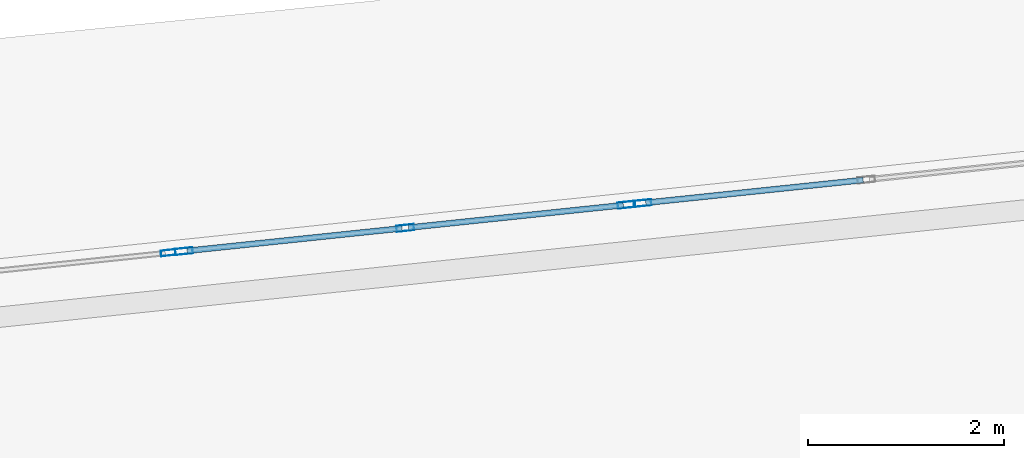
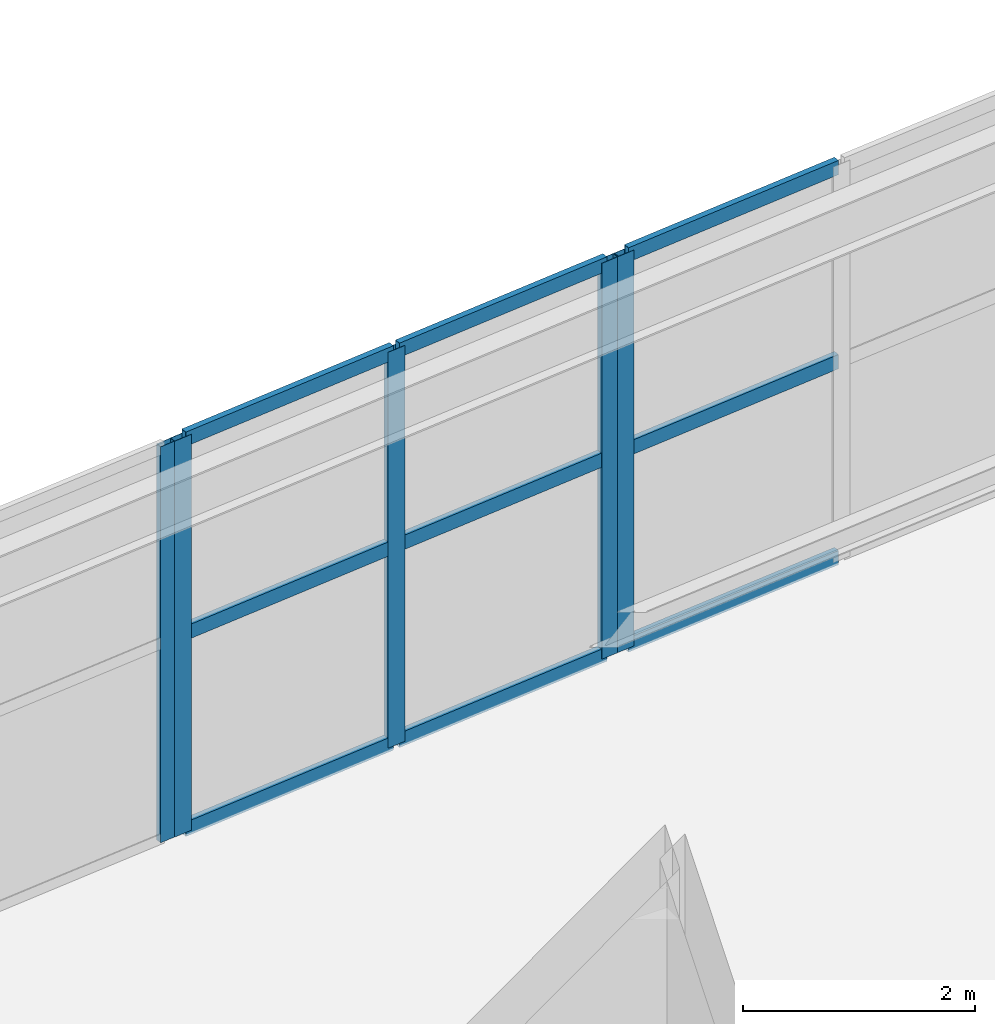
# One storey, part 71 of 126: 14 members, 3 elements without a shape of their own.
"""IFC4 building model written with IfcOpenShell, lengths in metres."""

from ifc_helpers import new_model, si_unit, direction, frame, origin, origin_2d, place, context, subcontext, project, spatial, hollow_rectangle, extrude, material, layer, layer_set, material_profile, profile_set, type_object, element, aggregate, save


model = new_model("IFC4")

# Units and contexts
model_context = context("Model", 3, precision=1e-05, world=origin(), true_north=direction((0.0, 1.0)))
body_context = subcontext(model_context, "Body", "Model", "MODEL_VIEW")
ifc_project = project(units=[si_unit("LENGTHUNIT", "METRE"), si_unit("AREAUNIT", "SQUARE_METRE"), si_unit("VOLUMEUNIT", "CUBIC_METRE"), si_unit("PLANEANGLEUNIT", "RADIAN"), si_unit("MASSUNIT", "GRAM", prefix="KILO")], contexts=[model_context])

# Site, building, storey
site_placement = place(None, origin())
site = spatial("IfcSite", under=ifc_project, at=site_placement, CompositionType="ELEMENT")
building_placement = place(site_placement, origin())
building = spatial("IfcBuilding", under=site, at=building_placement, Name="Kalgoora Escarpment Arena", CompositionType="ELEMENT")
storey_placement = place(building_placement, frame((0.0, 0.0, 18.89990234375)))
storey = spatial("IfcBuildingStorey", under=building, at=storey_placement, Name="L04", CompositionType="ELEMENT", Elevation=18.89990234375)

# Curtain wall, member
ifc_material_1 = material(Name=" Champagne anodised aluminium & double-glazed low-E", Category="aluminium")
ifc_layer_1 = layer(ifc_material_1, 0.14990234375)
ifc_layer_set_1 = layer_set([ifc_layer_1], Name="CW-UNIT-20")
curtain_wall_type_1 = type_object("IfcCurtainWallType", Name="CW-UNIT-20", PredefinedType="NOTDEFINED", material=ifc_layer_set_1)
curtain_wall_1_placement = place(storey_placement, origin())
curtain_wall_1 = element("IfcCurtainWall", 1, at=curtain_wall_1_placement, inside=storey, type_object=curtain_wall_type_1, Name="L04 unitised facade curtain wall 159", PredefinedType="NOTDEFINED")
ifc_material_2 = material(Name="Anodised aluminium 6063-T6", Category="aluminium")
ifc_material_profile_1 = material_profile(ifc_material_2, hollow_rectangle(XDim=0.06005859375, YDim=0.14990234375, WallThickness=0.00341796875, at=origin_2d()))
ifc_profile_set_1 = profile_set([ifc_material_profile_1], Name="Anodised aluminium 6063-T6")
member_type_1 = type_object("IfcMemberType", Name="MEM-CW-MULL-150", PredefinedType="MULLION", material=ifc_profile_set_1)
member_1_placement = place(storey_placement, frame((82.963623046875, 120.490966796875, 0.02001953125), z_axis=(0.0, 0.0, 1.0), x_axis=(-0.104182310405, 0.994558216596, 0.0)))
member_1 = element("IfcMember", 2, at=member_1_placement, type_object=member_type_1, Name="CW-20 mullion 2", PredefinedType="MULLION", context=body_context, shape_type="SweptSolid", body=[
    extrude(hollow_rectangle(XDim=0.06005859375, YDim=0.14990234375, WallThickness=0.00341796875, at=origin_2d()), origin(), (0.0, 0.0, 1.0), 4.16015625),
])
aggregate(curtain_wall_1, [member_1])

# Curtain wall, members
ifc_material_3 = material(Name=" Champagne anodised aluminium & double-glazed low-E", Category="aluminium")
ifc_layer_2 = layer(ifc_material_3, 0.154052734375)
ifc_layer_set_2 = layer_set([ifc_layer_2], Name="CW-UNIT-01")
curtain_wall_type_2 = type_object("IfcCurtainWallType", Name="CW-UNIT-01", PredefinedType="NOTDEFINED", material=ifc_layer_set_2)
curtain_wall_2_placement = place(storey_placement, origin())
curtain_wall_2 = element("IfcCurtainWall", 3, at=curtain_wall_2_placement, inside=storey, type_object=curtain_wall_type_2, Name="L04 unitised facade curtain wall 160", PredefinedType="NOTDEFINED")
ifc_material_4 = material(Name="Anodised aluminium 6063-T6", Category="aluminium")
ifc_material_profile_2 = material_profile(ifc_material_4, hollow_rectangle(XDim=0.06494140625, YDim=0.179931640625, WallThickness=0.00390625, at=origin_2d()))
ifc_profile_set_2 = profile_set([ifc_material_profile_2], Name="Anodised aluminium 6063-T6")
member_type_2 = type_object("IfcMemberType", Name="MEM-CW-MULL-180", PredefinedType="MULLION", material=ifc_profile_set_2)
member_2_placement = place(storey_placement, frame((83.125244140625, 120.5078125, 0.02001953125), z_axis=(0.0, 0.0, 1.0), x_axis=(-0.104182310405, 0.994558216596, 0.0)))
member_2 = element("IfcMember", 4, at=member_2_placement, type_object=member_type_2, Name="CW-01 mullion 1", PredefinedType="MULLION", context=body_context, shape_type="SweptSolid", body=[
    extrude(hollow_rectangle(XDim=0.06494140625, YDim=0.179931640625, WallThickness=0.00390625, at=origin_2d()), origin(), (0.0, 0.0, 1.0), 4.16015625),
])
member_3_placement = place(storey_placement, frame((85.385498046875, 120.74462890625, 0.02001953125), z_axis=(0.0, 0.0, 1.0), x_axis=(-0.104182310405, 0.994558216596, 0.0)))
member_3 = element("IfcMember", 5, at=member_3_placement, type_object=member_type_2, Name="CW-01 mullion 2", PredefinedType="MULLION", context=body_context, shape_type="SweptSolid", body=[
    extrude(hollow_rectangle(XDim=0.06494140625, YDim=0.179931640625, WallThickness=0.00390625, at=origin_2d()), origin(), (0.0, 0.0, 1.0), 4.16015625),
])
member_4_placement = place(storey_placement, frame((87.645751953125, 120.9814453125, 0.02001953125), z_axis=(0.0, 0.0, 1.0), x_axis=(-0.104182310405, 0.994558216596, 0.0)))
member_4 = element("IfcMember", 6, at=member_4_placement, type_object=member_type_2, Name="CW-01 mullion 3", PredefinedType="MULLION", context=body_context, shape_type="SweptSolid", body=[
    extrude(hollow_rectangle(XDim=0.06494140625, YDim=0.179931640625, WallThickness=0.00390625, at=origin_2d()), origin(), (0.0, 0.0, 1.0), 4.16015625),
])

# Curtain wall, member
ifc_material_5 = material(Name=" Champagne anodised aluminium & double-glazed low-E", Category="aluminium")
ifc_layer_3 = layer(ifc_material_5, 0.157958984375)
ifc_layer_set_3 = layer_set([ifc_layer_3], Name="CW-UNIT-02")
curtain_wall_type_3 = type_object("IfcCurtainWallType", Name="CW-UNIT-02", PredefinedType="NOTDEFINED", material=ifc_layer_set_3)
curtain_wall_3_placement = place(storey_placement, origin())
curtain_wall_3 = element("IfcCurtainWall", 7, at=curtain_wall_3_placement, inside=storey, type_object=curtain_wall_type_3, Name="L04 unitised facade curtain wall 161", PredefinedType="NOTDEFINED")
member_5_placement = place(storey_placement, frame((87.809814453125, 120.99853515625, 0.02001953125), z_axis=(0.0, 0.0, 1.0), x_axis=(-0.104178772797, 0.994558587162, 0.0)))
member_5 = element("IfcMember", 8, at=member_5_placement, type_object=member_type_2, Name="CW-02 mullion 1", PredefinedType="MULLION", context=body_context, shape_type="SweptSolid", body=[
    extrude(hollow_rectangle(XDim=0.06494140625, YDim=0.179931640625, WallThickness=0.00390625, at=origin_2d()), origin(), (0.0, 0.0, 1.0), 4.16015625),
])

# Member
ifc_material_6 = material(Name="Anodised aluminium 6063-T6", Category="aluminium")
ifc_material_profile_3 = material_profile(ifc_material_6, hollow_rectangle(XDim=0.06005859375, YDim=0.14990234375, WallThickness=0.00341796875, at=origin_2d()))
ifc_profile_set_3 = profile_set([ifc_material_profile_3], Name="Anodised aluminium 6063-T6")
member_type_3 = type_object("IfcMemberType", Name="MEM-CW-TRAN-150", PredefinedType="USERDEFINED", material=ifc_profile_set_3)
member_6_placement = place(storey_placement, frame((83.15771484375, 120.51123046875, 0.050048828125), z_axis=(0.994558650699, 0.104178166236, 0.0), x_axis=(-0.104178166236, 0.994558650699, 0.0)))
member_6 = element("IfcMember", 9, at=member_6_placement, type_object=member_type_3, Name="CW-01 transom 1.1", ObjectType="TRANSOM", PredefinedType="USERDEFINED", context=body_context, shape_type="SweptSolid", body=[
    extrude(hollow_rectangle(XDim=0.06005859375, YDim=0.14990234375, WallThickness=0.00341796875, at=origin_2d()), origin(), (0.0, 0.0, 1.0), 2.20751953125),
])

member_7_placement = place(storey_placement, frame((83.15771484375, 120.51123046875, 2.110107421875), z_axis=(0.994558650699, 0.104178166236, 0.0), x_axis=(-0.104178166236, 0.994558650699, 0.0)))
member_7 = element("IfcMember", 10, at=member_7_placement, type_object=member_type_3, Name="CW-01 transom 1.2", ObjectType="TRANSOM", PredefinedType="USERDEFINED", context=body_context, shape_type="SweptSolid", body=[
    extrude(hollow_rectangle(XDim=0.06005859375, YDim=0.14990234375, WallThickness=0.00341796875, at=origin_2d()), origin(), (0.0, 0.0, 1.0), 2.20751953125),
])

member_8_placement = place(storey_placement, frame((83.15771484375, 120.51123046875, 4.150146484375), z_axis=(0.994558650699, 0.104178166236, 0.0), x_axis=(-0.104178166236, 0.994558650699, 0.0)))
member_8 = element("IfcMember", 11, at=member_8_placement, type_object=member_type_3, Name="CW-01 transom 1.3", ObjectType="TRANSOM", PredefinedType="USERDEFINED", context=body_context, shape_type="SweptSolid", body=[
    extrude(hollow_rectangle(XDim=0.06005859375, YDim=0.14990234375, WallThickness=0.00341796875, at=origin_2d()), origin(), (0.0, 0.0, 1.0), 2.20751953125),
])

member_9_placement = place(storey_placement, frame((85.41796875, 120.748046875, 0.050048828125), z_axis=(0.994558650699, 0.104178166236, 0.0), x_axis=(-0.104178166236, 0.994558650699, 0.0)))
member_9 = element("IfcMember", 12, at=member_9_placement, type_object=member_type_3, Name="CW-01 transom 2.1", ObjectType="TRANSOM", PredefinedType="USERDEFINED", context=body_context, shape_type="SweptSolid", body=[
    extrude(hollow_rectangle(XDim=0.06005859375, YDim=0.14990234375, WallThickness=0.00341796875, at=origin_2d()), origin(), (0.0, 0.0, 1.0), 2.20751953125),
])

member_10_placement = place(storey_placement, frame((85.41796875, 120.748046875, 2.110107421875), z_axis=(0.994558650699, 0.104178166236, 0.0), x_axis=(-0.104178166236, 0.994558650699, 0.0)))
member_10 = element("IfcMember", 13, at=member_10_placement, type_object=member_type_3, Name="CW-01 transom 2.2", ObjectType="TRANSOM", PredefinedType="USERDEFINED", context=body_context, shape_type="SweptSolid", body=[
    extrude(hollow_rectangle(XDim=0.06005859375, YDim=0.14990234375, WallThickness=0.00341796875, at=origin_2d()), origin(), (0.0, 0.0, 1.0), 2.20751953125),
])

member_11_placement = place(storey_placement, frame((85.41796875, 120.748046875, 4.150146484375), z_axis=(0.994558650699, 0.104178166236, 0.0), x_axis=(-0.104178166236, 0.994558650699, 0.0)))
member_11 = element("IfcMember", 14, at=member_11_placement, type_object=member_type_3, Name="CW-01 transom 2.3", ObjectType="TRANSOM", PredefinedType="USERDEFINED", context=body_context, shape_type="SweptSolid", body=[
    extrude(hollow_rectangle(XDim=0.06005859375, YDim=0.14990234375, WallThickness=0.00341796875, at=origin_2d()), origin(), (0.0, 0.0, 1.0), 2.20751953125),
])

aggregate(curtain_wall_2, [member_2, member_3, member_4, member_6, member_7, member_8, member_9, member_10, member_11])

member_12_placement = place(storey_placement, frame((87.84228515625, 121.001953125, 0.050048828125), z_axis=(0.994555073318, 0.104212312795, 0.0), x_axis=(-0.104212312795, 0.994555073318, 0.0)))
member_12 = element("IfcMember", 15, at=member_12_placement, type_object=member_type_3, Name="CW-02 transom 1.1", ObjectType="TRANSOM", PredefinedType="USERDEFINED", context=body_context, shape_type="SweptSolid", body=[
    extrude(hollow_rectangle(XDim=0.06005859375, YDim=0.14990234375, WallThickness=0.00341796875, at=origin_2d()), origin(), (0.0, 0.0, 1.0), 2.232666015625),
])

member_13_placement = place(storey_placement, frame((87.84228515625, 121.001953125, 2.110107421875), z_axis=(0.994555073318, 0.104212312795, 0.0), x_axis=(-0.104212312795, 0.994555073318, 0.0)))
member_13 = element("IfcMember", 16, at=member_13_placement, type_object=member_type_3, Name="CW-02 transom 1.2", ObjectType="TRANSOM", PredefinedType="USERDEFINED", context=body_context, shape_type="SweptSolid", body=[
    extrude(hollow_rectangle(XDim=0.06005859375, YDim=0.14990234375, WallThickness=0.00341796875, at=origin_2d()), origin(), (0.0, 0.0, 1.0), 2.232666015625),
])

member_14_placement = place(storey_placement, frame((87.84228515625, 121.001953125, 4.150146484375), z_axis=(0.994555073318, 0.104212312795, 0.0), x_axis=(-0.104212312795, 0.994555073318, 0.0)))
member_14 = element("IfcMember", 17, at=member_14_placement, type_object=member_type_3, Name="CW-02 transom 1.3", ObjectType="TRANSOM", PredefinedType="USERDEFINED", context=body_context, shape_type="SweptSolid", body=[
    extrude(hollow_rectangle(XDim=0.06005859375, YDim=0.14990234375, WallThickness=0.00341796875, at=origin_2d()), origin(), (0.0, 0.0, 1.0), 2.232666015625),
])

aggregate(curtain_wall_3, [member_5, member_12, member_13, member_14])

save(model, "model.ifc")
